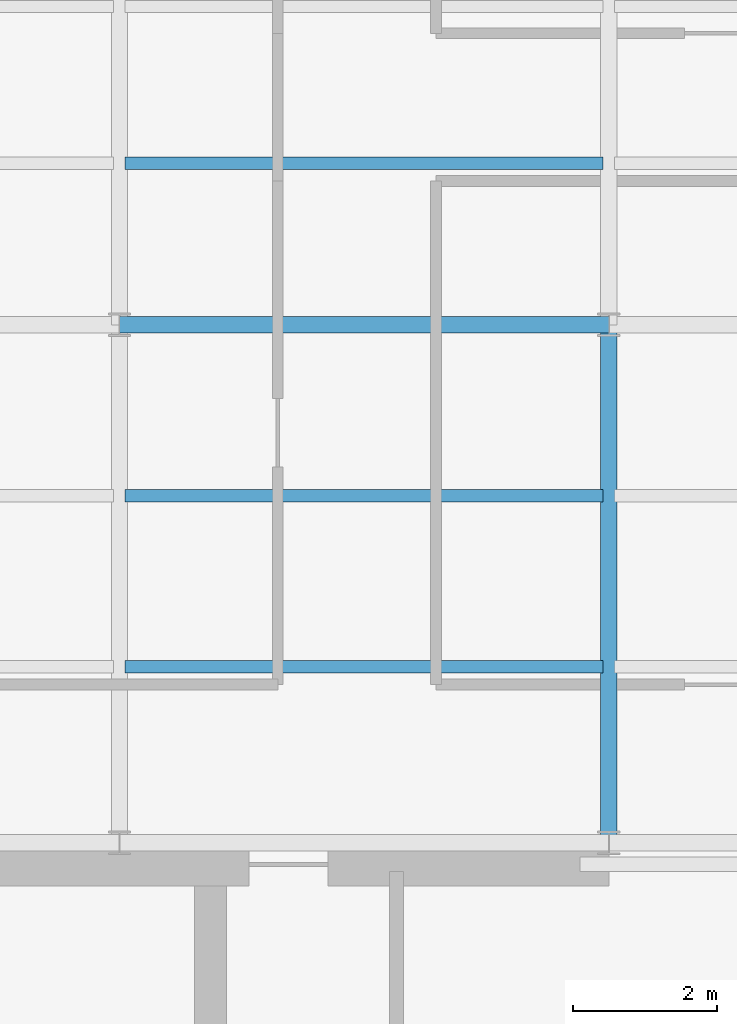
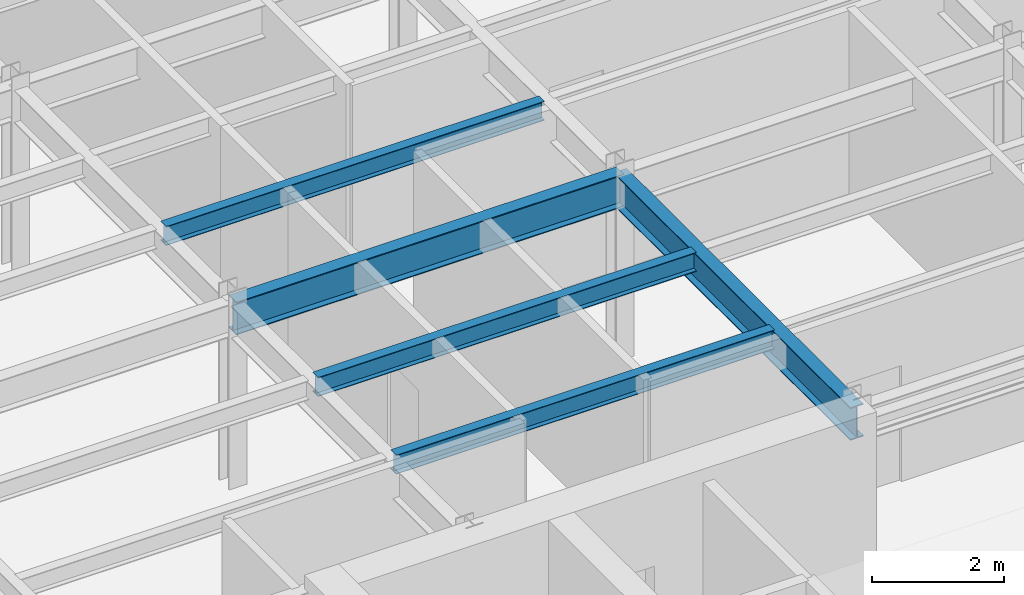
# One storey, part 6 of 21: 5 beams.
"""IFC4 building model written with IfcOpenShell, lengths in metres."""

from ifc_helpers import new_model, si_unit, derived_unit, direction, frame, origin, origin_2d, place, context, subcontext, project, spatial, i_section, extrude, source, transform, mapped, material, material_profile, profile_set, type_object, element, save


model = new_model("IFC4")

# Units and contexts
model_context = context("Model", 3, precision=1e-05, world=origin(), true_north=direction((0.0, 1.0)))
body_context = subcontext(model_context, "Body", "Model", "MODEL_VIEW")
ifc_project = project(units=[si_unit("LENGTHUNIT", "METRE"), si_unit("AREAUNIT", "SQUARE_METRE"), si_unit("VOLUMEUNIT", "CUBIC_METRE"), si_unit("PLANEANGLEUNIT", "RADIAN"), si_unit("MASSUNIT", "GRAM", prefix="KILO"), derived_unit("THERMALTRANSMITTANCEUNIT", [(si_unit("POWERUNIT", "WATT"), 1), (si_unit("LENGTHUNIT", "METRE"), -2), (si_unit("THERMODYNAMICTEMPERATUREUNIT", "KELVIN"), -1)])], contexts=[model_context])

# Site, building, storey
site_placement = place(None, origin())
site = spatial("IfcSite", under=ifc_project, at=site_placement, CompositionType="ELEMENT")
building_placement = place(site_placement, origin())
building = spatial("IfcBuilding", under=site, at=building_placement, Name="Skarnbrae Concourse Arena and Tower", CompositionType="ELEMENT")
storey_placement = place(building_placement, frame((0.0, 0.0, 188.60009765625)))
storey = spatial("IfcBuildingStorey", under=building, at=storey_placement, Name="L48", CompositionType="ELEMENT", Elevation=188.60009765625)

# Beams
ifc_material = material(Name="Steel CSA G40.21 350W", Category="steel")
ifc_material_profile_1 = material_profile(ifc_material, i_section(OverallWidth=0.22802734375, OverallDepth=0.60791015625, WebThickness=0.01123046875, FlangeThickness=0.017333984375, at=origin_2d()), Name="W610X113")
ifc_profile_set_1 = profile_set([ifc_material_profile_1], Name="Steel CSA G40.21 350W")
beam_type_1 = type_object("IfcBeamType", Name="BM-GIRD-W610X113", PredefinedType="BEAM", material=ifc_profile_set_1)
shared_shape_1 = source(origin(), body_context, "Body", "SweptSolid", [
    extrude(i_section(OverallWidth=0.22802734375, OverallDepth=0.60791015625, WebThickness=0.01123046875, FlangeThickness=0.017333984375, at=origin_2d()), origin(), (0.0, 0.0, 1.0), 6.7998046875),
])
beam_1_placement = place(storey_placement, frame((7.60009765625, 21.199951171875, 3.095947265625), z_axis=(1.0, 0.0, 0.0), x_axis=(0.0, 1.0, 0.0)))
element("IfcBeam", 1, at=beam_1_placement, inside=storey, type_object=beam_type_1, Name="L48 Primary E-W girder Y21.2-2", PredefinedType="BEAM", context=body_context, shape_type="MappedRepresentation", body=[
    mapped(shared_shape_1, transform((0.0, 0.0, 0.0))),
])
shared_shape_2 = source(origin(), body_context, "Body", "SweptSolid", [
    extrude(i_section(OverallWidth=0.22802734375, OverallDepth=0.60791015625, WebThickness=0.01123046875, FlangeThickness=0.017333984375, at=origin_2d()), origin(), (0.0, 0.0, 1.0), 7.199951171875),
])
beam_2_placement = place(storey_placement, frame((14.39990234375, 14.0, 3.095947265625), z_axis=(0.0, 1.0, 0.0), x_axis=(-1.0, 0.0, 0.0)))
element("IfcBeam", 2, at=beam_2_placement, inside=storey, type_object=beam_type_1, Name="L48 Primary N-S girder X14.4-1", PredefinedType="BEAM", context=body_context, shape_type="MappedRepresentation", body=[
    mapped(shared_shape_2, transform((0.0, 0.0, 0.0))),
])
ifc_material_profile_2 = material_profile(ifc_material, i_section(OverallWidth=0.1708984375, OverallDepth=0.35498046875, WebThickness=0.007080078125, FlangeThickness=0.01171875, at=origin_2d()), Name="W360X51")
ifc_profile_set_2 = profile_set([ifc_material_profile_2], Name="Steel CSA G40.21 350W")
beam_type_2 = type_object("IfcBeamType", Name="BM-JOIST-W360X51", PredefinedType="JOIST", material=ifc_profile_set_2)
shared_shape_3 = source(origin(), body_context, "Body", "SweptSolid", [
    extrude(i_section(OverallWidth=0.1708984375, OverallDepth=0.35498046875, WebThickness=0.007080078125, FlangeThickness=0.01171875, at=origin_2d()), origin(), (0.0, 0.0, 1.0), 6.64013671875),
])
for number, where, z_axis, x_axis, name in (
    (3, (7.679931640625, 16.447998046875, 3.222412109375), (1.0, 0.0, 0.0), (0.0, 1.0, 0.0), "L48 Secondary floor joist 1.1.2"),
    (4, (7.679931640625, 18.823974609375, 3.222412109375), (1.0, 0.0, 0.0), (0.0, 1.0, 0.0), "L48 Secondary floor joist 1.2.2"),
    (5, (7.679931640625, 23.444091796875, 3.222412109375), (1.0, 0.0, 0.0), (0.0, 1.0, 0.0), "L48 Secondary floor joist 2.1.2"),
):
    element("IfcBeam", number, at=place(storey_placement, frame(where, z_axis=z_axis, x_axis=x_axis)), inside=storey, type_object=beam_type_2, Name=name, PredefinedType="JOIST", context=body_context, shape_type="MappedRepresentation", body=[
        mapped(shared_shape_3, transform((0.0, 0.0, 0.0))),
    ])

save(model, "model.ifc")
